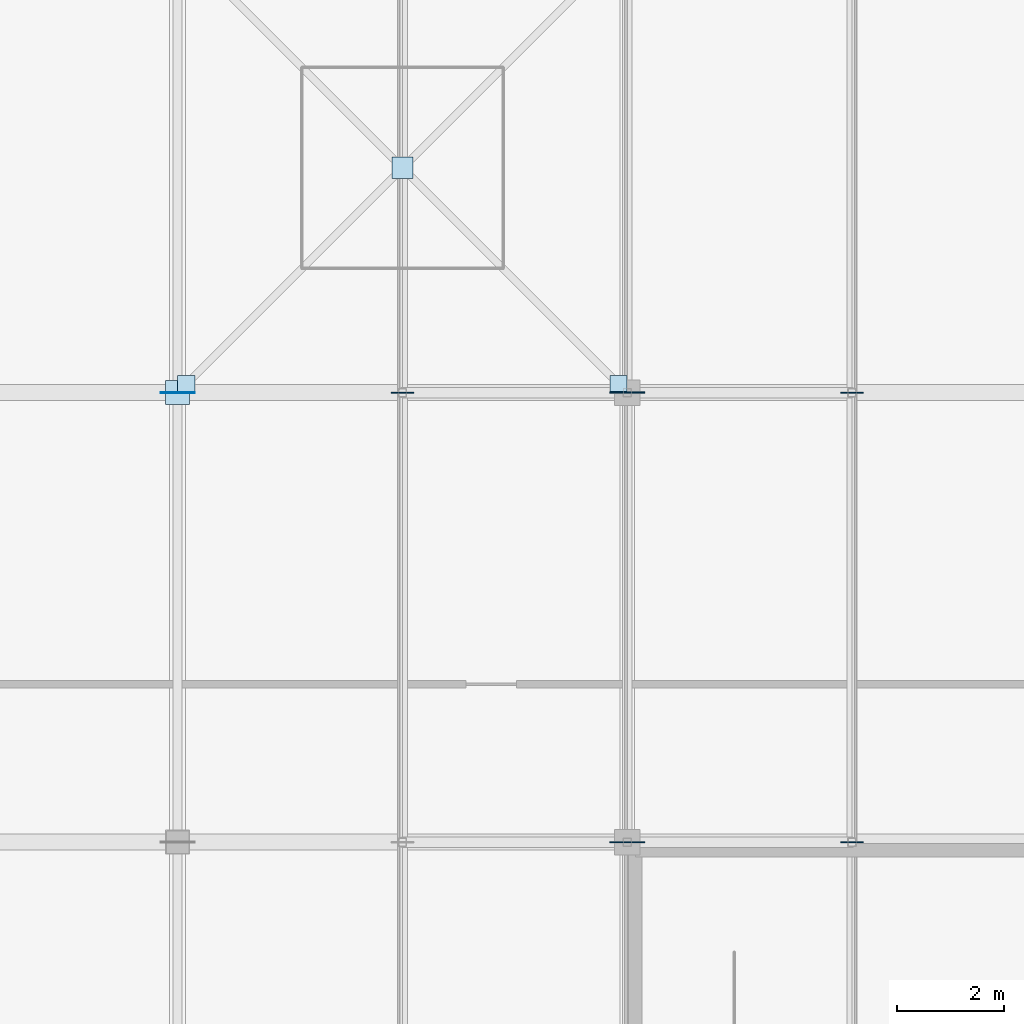
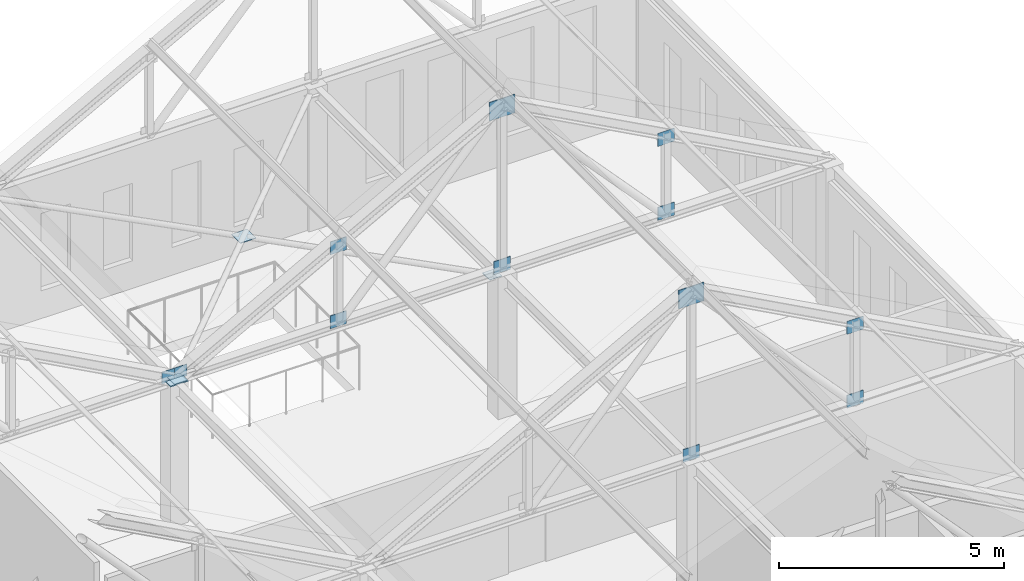
# One storey, part 27 of 36: 16 plates.
"""IFC4 building model written with IfcOpenShell, lengths in metres."""

from ifc_helpers import new_model, si_unit, direction, frame, origin, origin_2d, place, context, subcontext, project, spatial, rectangle, extrude, material, layer, layer_set, type_object, element, save


model = new_model("IFC4")

# Units and contexts
model_context = context("Model", 3, precision=1e-05, world=origin(), true_north=direction((0.0, 1.0)))
body_context = subcontext(model_context, "Body", "Model", "MODEL_VIEW")
ifc_project = project(units=[si_unit("LENGTHUNIT", "METRE"), si_unit("AREAUNIT", "SQUARE_METRE"), si_unit("VOLUMEUNIT", "CUBIC_METRE"), si_unit("PLANEANGLEUNIT", "RADIAN"), si_unit("MASSUNIT", "GRAM", prefix="KILO")], contexts=[model_context])

# Site, building, storey
site_placement = place(None, origin())
site = spatial("IfcSite", under=ifc_project, at=site_placement, CompositionType="ELEMENT")
building_placement = place(site_placement, origin())
building = spatial("IfcBuilding", under=site, at=building_placement, Name="Kveldsbrygga Polytechnic", CompositionType="ELEMENT")
storey_placement = place(building_placement, frame((0.0, 0.0, 26.179931640625)))
storey = spatial("IfcBuildingStorey", under=building, at=storey_placement, Name="L06", CompositionType="ELEMENT", Elevation=26.179931640625)

# Plates
ifc_material = material(Name="Steel S355", Category="steel")
ifc_layer_1 = layer(ifc_material, 0.030029296875)
ifc_layer_set_1 = layer_set([ifc_layer_1], Name="Steel S355")
plate_type_1 = type_object("IfcPlateType", Name="CAP-BEAR-450", PredefinedType="SHEET", material=ifc_layer_set_1)
plate_1_placement = place(storey_placement, frame((142.800048828125, 92.39990234375, 3.81005859375), z_axis=(0.0, 0.0, 1.0), x_axis=(1.0, 0.0, 0.0)))
element("IfcPlate", 1, at=plate_1_placement, inside=storey, type_object=plate_type_1, Name="Truss Bearing Plate V4M1-T10-B", PredefinedType="SHEET", context=body_context, shape_type="SweptSolid", body=[
    extrude(rectangle(XDim=0.449951171875, YDim=0.449951171875, at=origin_2d()), origin(), (0.0, 0.0, 1.0), 0.030029296875),
])
ifc_layer_2 = layer(ifc_material, 0.02490234375)
ifc_layer_set_2 = layer_set([ifc_layer_2], Name="Steel S355")
plate_type_2 = type_object("IfcPlateType", Name="GUS-APEX-650", PredefinedType="SHEET", material=ifc_layer_set_2)
for number, where, z_axis, x_axis, name in (
    (2, (151.199951171875, 84.0, 7.989990234375), (0.0, 0.0, 1.0), (1.0, 0.0, 0.0), "Truss Gusset Plate V4M2-T09-GP-2"),
    (3, (151.199951171875, 92.39990234375, 7.989990234375), (0.0, 0.0, 1.0), (1.0, 0.0, 0.0), "Truss Gusset Plate V4M2-T10-GP-2"),
):
    element("IfcPlate", number, at=place(storey_placement, frame(where, z_axis=z_axis, x_axis=x_axis)), inside=storey, type_object=plate_type_2, Name=name, PredefinedType="SHEET", context=body_context, shape_type="SweptSolid", body=[
        extrude(rectangle(XDim=0.64990234375, YDim=0.02490234375, at=origin_2d()), origin(), (0.0, 0.0, 1.0), 0.5),
    ])
ifc_layer_3 = layer(ifc_material, 0.01806640625)
ifc_layer_set_3 = layer_set([ifc_layer_3], Name="Steel S355")
plate_type_3 = type_object("IfcPlateType", Name="GUS-BRACE-320", PredefinedType="SHEET", material=ifc_layer_set_3)
for number, where, z_axis, x_axis, name in (
    (4, (142.639892578125, 92.39990234375, 3.7998046875), (0.0, 0.0, 1.0), (1.0, 0.0, 0.0), "Truss Eaves Node Gusset V4M1-T10-EGP-B"),
    (5, (142.9599609375, 92.39990234375, 3.7998046875), (0.0, 0.0, 1.0), (1.0, 0.0, 0.0), "Truss Eaves Node Gusset V4M2-T10-EGP-A"),
):
    element("IfcPlate", number, at=place(storey_placement, frame(where, z_axis=z_axis, x_axis=x_axis)), inside=storey, type_object=plate_type_3, Name=name, PredefinedType="SHEET", context=body_context, shape_type="SweptSolid", body=[
        extrude(rectangle(XDim=0.320068359375, YDim=0.01806640625, at=origin_2d()), origin(), (0.0, 0.0, 1.0), 0.320068359375),
    ])
for number, where, z_axis, x_axis, name in (
    (6, (142.9599609375, 92.56005859375, 3.6611328125), (0.0, 0.0, 1.0), (1.0, 0.0, 0.0), "Attic Brace End Gusset XGP-RBR-17-11-1"),
    (7, (151.0400390625, 92.56005859375, 3.6611328125), (0.0, 0.0, 1.0), (1.0, 0.0, 0.0), "Attic Brace End Gusset XGP-RBR-17-11-4"),
):
    element("IfcPlate", number, at=place(storey_placement, frame(where, z_axis=z_axis, x_axis=x_axis)), inside=storey, type_object=plate_type_3, Name=name, PredefinedType="SHEET", context=body_context, shape_type="SweptSolid", body=[
        extrude(rectangle(XDim=0.320068359375, YDim=0.320068359375, at=origin_2d()), origin(), (0.0, 0.0, 1.0), 0.01806640625),
    ])
ifc_layer_4 = layer(ifc_material, 0.02001953125)
ifc_layer_set_4 = layer_set([ifc_layer_4], Name="Steel S355")
plate_type_4 = type_object("IfcPlateType", Name="GUS-LECT-420", PredefinedType="SHEET", material=ifc_layer_set_4)
for number, where, z_axis, x_axis, name in (
    (8, (151.199951171875, 84.0, 3.784912109375), (0.0, 0.0, 1.0), (1.0, 0.0, 0.0), "Truss Bottom-Chord Node Gusset V4M2-T09-BGP-2"),
    (9, (155.39990234375, 84.0, 5.7900390625), (0.0, 0.0, 1.0), (1.0, 0.0, 0.0), "Truss Gusset Plate V4M2-T09-GP-3"),
    (10, (155.39990234375, 84.0, 3.784912109375), (0.0, 0.0, 1.0), (1.0, 0.0, 0.0), "Truss Bottom-Chord Node Gusset V4M2-T09-BGP-3"),
    (11, (147.0, 92.39990234375, 5.7900390625), (0.0, 0.0, 1.0), (1.0, 0.0, 0.0), "Truss Gusset Plate V4M2-T10-GP-1"),
    (12, (147.0, 92.39990234375, 3.784912109375), (0.0, 0.0, 1.0), (1.0, 0.0, 0.0), "Truss Bottom-Chord Node Gusset V4M2-T10-BGP-1"),
    (13, (151.199951171875, 92.39990234375, 3.784912109375), (0.0, 0.0, 1.0), (1.0, 0.0, 0.0), "Truss Bottom-Chord Node Gusset V4M2-T10-BGP-2"),
    (14, (155.39990234375, 92.39990234375, 5.7900390625), (0.0, 0.0, 1.0), (1.0, 0.0, 0.0), "Truss Gusset Plate V4M2-T10-GP-3"),
    (15, (155.39990234375, 92.39990234375, 3.784912109375), (0.0, 0.0, 1.0), (1.0, 0.0, 0.0), "Truss Bottom-Chord Node Gusset V4M2-T10-BGP-3"),
):
    element("IfcPlate", number, at=place(storey_placement, frame(where, z_axis=z_axis, x_axis=x_axis)), inside=storey, type_object=plate_type_4, Name=name, PredefinedType="SHEET", context=body_context, shape_type="SweptSolid", body=[
        extrude(rectangle(XDim=0.419921875, YDim=0.02001953125, at=origin_2d()), origin(), (0.0, 0.0, 1.0), 0.35009765625),
    ])
ifc_layer_5 = layer(ifc_material, 0.02001953125)
ifc_layer_set_5 = layer_set([ifc_layer_5], Name="Steel S355")
plate_type_5 = type_object("IfcPlateType", Name="GUS-XBRACE-400", PredefinedType="SHEET", material=ifc_layer_set_5)
plate_2_placement = place(storey_placement, frame((147.0, 96.60009765625, 3.66015625), z_axis=(0.0, 0.0, 1.0), x_axis=(1.0, 0.0, 0.0)))
element("IfcPlate", 16, at=plate_2_placement, inside=storey, type_object=plate_type_5, Name="Attic X-Brace Crossing Gusset XGP-RBR-17-11-C", PredefinedType="SHEET", context=body_context, shape_type="SweptSolid", body=[
    extrude(rectangle(XDim=0.39990234375, YDim=0.39990234375, at=origin_2d()), origin(), (0.0, 0.0, 1.0), 0.02001953125),
])

save(model, "model.ifc")
